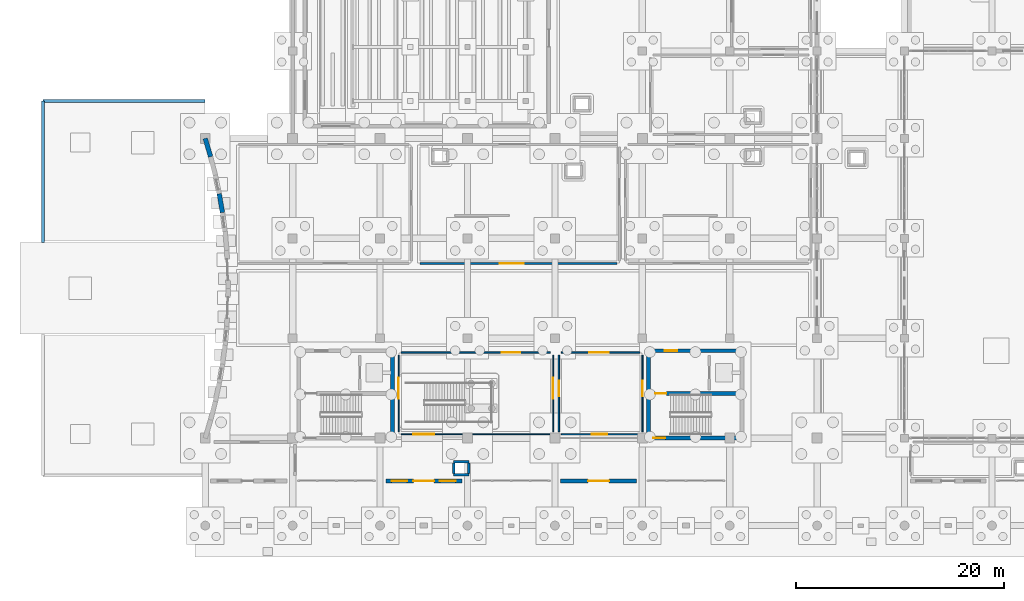
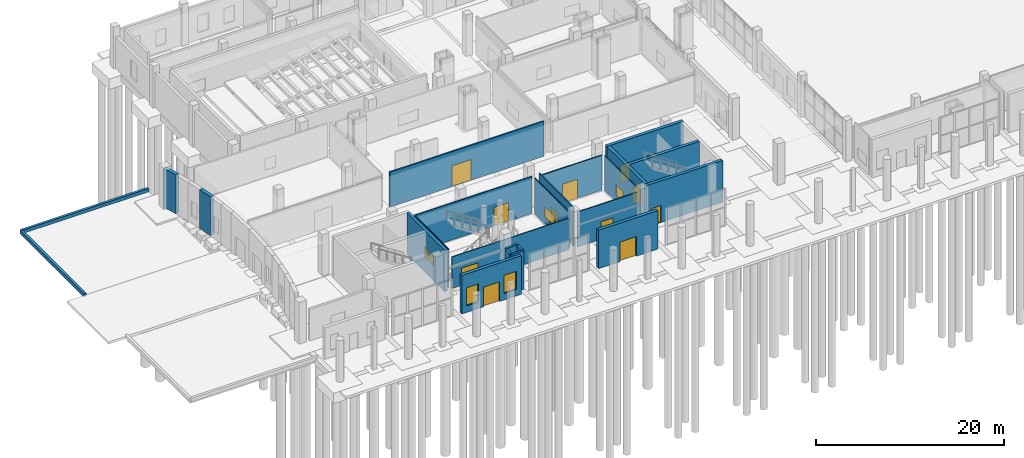
# One storey, part 39 of 65: 24 walls, 8 doors, 8 windows, 16 openings.
"""IFC4 building model written with IfcOpenShell, lengths in metres."""

from ifc_helpers import new_model, si_unit, direction, frame, frame_2d, origin, place, context, subcontext, project, spatial, rectangle, extrude, material, layer, layer_set, type_object, element, fill, save


model = new_model("IFC4")

# Units and contexts
model_context = context("Model", 3, precision=1e-05, world=origin(), true_north=direction((0.0, 1.0)))
body_context = subcontext(model_context, "Body", "Model", "MODEL_VIEW")
ifc_project = project(units=[si_unit("LENGTHUNIT", "METRE"), si_unit("AREAUNIT", "SQUARE_METRE"), si_unit("VOLUMEUNIT", "CUBIC_METRE"), si_unit("PLANEANGLEUNIT", "RADIAN"), si_unit("MASSUNIT", "GRAM", prefix="KILO")], contexts=[model_context])

# Site, building, storey
site_placement = place(None, origin())
site = spatial("IfcSite", under=ifc_project, at=site_placement, CompositionType="ELEMENT")
building_placement = place(site_placement, origin())
building = spatial("IfcBuilding", under=site, at=building_placement, Name="Zulmaris Art Gallery", CompositionType="ELEMENT")
storey_placement = place(building_placement, origin())
storey = spatial("IfcBuildingStorey", under=building, at=storey_placement, Name="L00", CompositionType="ELEMENT", Elevation=0.0)

# Walls
ifc_material_1 = material(Name="Omani Cream Limestone Ashlar Masonry", Category="masonry")
ifc_layer_1 = layer(ifc_material_1, 0.43994140625)
ifc_layer_set_1 = layer_set([ifc_layer_1], Name="Omani Cream Limestone Ashlar Masonry")
wall_type_1 = type_object("IfcWallType", Name="ENV-WALL-EW01", PredefinedType="SOLIDWALL", material=ifc_layer_set_1)
wall_1_placement = place(storey_placement, frame((25.655029296875, 43.284423828125, 0.0), z_axis=(0.0, 0.0, 1.0), x_axis=(-0.170546420939, 0.985349642667, 0.0)))
element("IfcWall", 1, at=wall_1_placement, inside=storey, type_object=wall_type_1, Name="L00 Concave Scooped Limestone Chord 13", PredefinedType="SOLIDWALL", context=body_context, shape_type="SweptSolid", body=[
    extrude(rectangle(XDim=1.828125, YDim=0.43994140625, at=frame_2d((0.9140625, 0.0))), origin(), (0.0, 0.0, 1.0), 5.0400390625),
])
wall_2_placement = place(storey_placement, frame((24.51513671875, 48.64599609375, 0.0), z_axis=(0.0, 0.0, 1.0), x_axis=(-0.281804764954, 0.959471768448, 0.0)))
element("IfcWall", 2, at=wall_2_placement, inside=storey, type_object=wall_type_1, Name="L00 Concave Scooped Limestone Chord 16", PredefinedType="SOLIDWALL", context=body_context, shape_type="SweptSolid", body=[
    extrude(rectangle(XDim=1.827880859375, YDim=0.43994140625, at=frame_2d((0.9140625, 0.0))), origin(), (0.0, 0.0, 1.0), 5.0400390625),
])

# Wall, openings, door, windows
ifc_material_2 = material(Name="Omani Desert Rose Limestone Cladding Wall", Category="masonry")
ifc_layer_2 = layer(ifc_material_2, 0.389892578125)
ifc_layer_set_2 = layer_set([ifc_layer_2], Name="Omani Desert Rose Limestone Cladding Wall")
wall_type_2 = type_object("IfcWallType", Name="ENV-WALL-EW02", PredefinedType="SOLIDWALL", material=ifc_layer_set_2)
wall_3_placement = place(storey_placement, frame((41.35009765625, 17.5, 0.0), z_axis=(0.0, 0.0, 1.0), x_axis=(1.0, 0.0, 0.0)))
wall_3 = element("IfcWall", 3, at=wall_3_placement, inside=storey, type_object=wall_type_2, Name="L00 Shop Colonnade Wall", PredefinedType="SOLIDWALL", context=body_context, shape_type="SweptSolid", body=[
    extrude(rectangle(XDim=7.2998046875, YDim=0.389892578125, at=frame_2d((3.64990234375, 0.0))), origin(), (0.0, 0.0, 1.0), 5.0),
])
opening_1_placement = place(wall_3_placement, frame((0.550048828125, 0.0, 0.85009765625)))
opening_1 = element("IfcOpeningElement", 4, at=opening_1_placement, cuts=wall_3, Name="Opening W07", PredefinedType="OPENING", context=body_context, shape_type="SweptSolid", body=[
    extrude(rectangle(XDim=1.5, YDim=2.35009765625, at=frame_2d((0.75, 1.175048828125))), frame((0.0, 0.204833984375, 0.0), z_axis=(0.0, -1.0, 0.0), x_axis=(1.0, 0.0, 0.0)), (0.0, 0.0, 1.0), 0.409912109375),
])
opening_2_placement = place(wall_3_placement, frame((5.199951171875, 0.0, 0.85009765625)))
opening_2 = element("IfcOpeningElement", 5, at=opening_2_placement, cuts=wall_3, Name="Opening W07", PredefinedType="OPENING", context=body_context, shape_type="SweptSolid", body=[
    extrude(rectangle(XDim=1.5, YDim=2.35009765625, at=frame_2d((0.75, 1.175048828125))), frame((0.0, 0.204833984375, 0.0), z_axis=(0.0, -1.0, 0.0), x_axis=(1.0, 0.0, 0.0)), (0.0, 0.0, 1.0), 0.409912109375),
])
opening_3_placement = place(wall_3_placement, frame((2.64990234375, 0.0, 0.0)))
opening_3 = element("IfcOpeningElement", 6, at=opening_3_placement, cuts=wall_3, Name="Opening ED01", PredefinedType="OPENING", context=body_context, shape_type="SweptSolid", body=[
    extrude(rectangle(XDim=2.0, YDim=2.550048828125, at=frame_2d((1.0, 1.27490234375))), frame((0.0, 0.204833984375, 0.0), z_axis=(0.0, -1.0, 0.0), x_axis=(1.0, 0.0, 0.0)), (0.0, 0.0, 1.0), 0.409912109375),
])
ifc_material_3 = material(Name="Bronze-Framed Glazed Main Entrance Door", Category="glass")
door_type_1 = type_object("IfcDoorType", Name="EDOOR-ED01", OperationType="DOUBLE_SWING_LEFT", PredefinedType="DOOR", material=ifc_material_3)
door_1_placement = place(opening_3_placement, origin())
door_1 = element("IfcDoor", 7, at=door_1_placement, inside=storey, type_object=door_type_1, Name="Museum Shop Colonnade Entrance", OperationType="DOUBLE_SWING_LEFT", OverallHeight=2.550048828125, OverallWidth=2.0, PredefinedType="DOOR", context=body_context, shape_type="SweptSolid", body=[
    extrude(rectangle(XDim=2.0, YDim=2.550048828125, at=frame_2d((1.0, 1.27490234375))), frame((0.0, 0.02490234375, 0.0), z_axis=(0.0, -1.0, 0.0), x_axis=(1.0, 0.0, 0.0)), (0.0, 0.0, 1.0), 0.050048828125),
])
fill(opening_3, door_1)
ifc_material_4 = material(Name="Gallery Cloister Bronze Window", Category="glass")
window_type_1 = type_object("IfcWindowType", Name="WIN-W07", PartitioningType="SINGLE_PANEL", PredefinedType="WINDOW", material=ifc_material_4)
window_1_placement = place(opening_1_placement, origin())
window_1 = element("IfcWindow", 8, at=window_1_placement, inside=storey, type_object=window_type_1, Name="L00 exterior window W07", OverallHeight=2.35009765625, OverallWidth=1.5, PartitioningType="SINGLE_PANEL", PredefinedType="WINDOW", context=body_context, shape_type="SweptSolid", body=[
    extrude(rectangle(XDim=1.5, YDim=2.35009765625, at=frame_2d((0.75, 1.175048828125))), frame((0.0, 0.030029296875, 0.0), z_axis=(0.0, -1.0, 0.0), x_axis=(1.0, 0.0, 0.0)), (0.0, 0.0, 1.0), 0.06005859375),
])
fill(opening_1, window_1)
window_2_placement = place(opening_2_placement, origin())
window_2 = element("IfcWindow", 9, at=window_2_placement, inside=storey, type_object=window_type_1, Name="L00 exterior window W07", OverallHeight=2.35009765625, OverallWidth=1.5, PartitioningType="SINGLE_PANEL", PredefinedType="WINDOW", context=body_context, shape_type="SweptSolid", body=[
    extrude(rectangle(XDim=1.5, YDim=2.35009765625, at=frame_2d((0.75, 1.175048828125))), frame((0.0, 0.030029296875, 0.0), z_axis=(0.0, -1.0, 0.0), x_axis=(1.0, 0.0, 0.0)), (0.0, 0.0, 1.0), 0.06005859375),
])
fill(opening_2, window_2)

# Wall, opening, door
wall_4_placement = place(storey_placement, frame((58.14990234375, 17.5, 0.0), z_axis=(0.0, 0.0, 1.0), x_axis=(1.0, 0.0, 0.0)))
wall_4 = element("IfcWall", 10, at=wall_4_placement, inside=storey, type_object=wall_type_2, Name="L00 Cafe West Exit Wall", PredefinedType="SOLIDWALL", context=body_context, shape_type="SweptSolid", body=[
    extrude(rectangle(XDim=7.300048828125, YDim=0.389892578125, at=frame_2d((3.64990234375, 0.0))), origin(), (0.0, 0.0, 1.0), 5.0),
])
opening_4_placement = place(wall_4_placement, frame((2.64990234375, 0.0, 0.0)))
opening_4 = element("IfcOpeningElement", 11, at=opening_4_placement, cuts=wall_4, Name="Opening ED01", PredefinedType="OPENING", context=body_context, shape_type="SweptSolid", body=[
    extrude(rectangle(XDim=2.0, YDim=2.550048828125, at=frame_2d((1.0, 1.27490234375))), frame((0.0, 0.204833984375, 0.0), z_axis=(0.0, -1.0, 0.0), x_axis=(1.0, 0.0, 0.0)), (0.0, 0.0, 1.0), 0.409912109375),
])
door_2_placement = place(opening_4_placement, origin())
door_2 = element("IfcDoor", 12, at=door_2_placement, inside=storey, type_object=door_type_1, Name="Gallery Cafe West Colonnade Exit Door", OperationType="DOUBLE_SWING_LEFT", OverallHeight=2.550048828125, OverallWidth=2.0, PredefinedType="DOOR", context=body_context, shape_type="SweptSolid", body=[
    extrude(rectangle(XDim=2.0, YDim=2.550048828125, at=frame_2d((1.0, 1.27490234375))), frame((0.0, 0.02490234375, 0.0), z_axis=(0.0, -1.0, 0.0), x_axis=(1.0, 0.0, 0.0)), (0.0, 0.0, 1.0), 0.050048828125),
])
fill(opening_4, door_2)

# Walls
ifc_material_5 = material(Name="Omani Limestone Pool Kerb", Category="masonry")
ifc_layer_3 = layer(ifc_material_5, 0.300048828125)
ifc_layer_set_3 = layer_set([ifc_layer_3], Name="Omani Limestone Pool Kerb")
wall_type_3 = type_object("IfcWallType", Name="ENV-WALL-PK01", PredefinedType="PARAPET", material=ifc_layer_set_3)
wall_5_placement = place(storey_placement, frame((8.39990234375, 54.0, -0.199951171875), z_axis=(0.0, 0.0, 1.0), x_axis=(1.0, 0.0, 0.0)))
element("IfcWall", 13, at=wall_5_placement, inside=storey, type_object=wall_type_3, Name="Reflecting pool limestone kerb 3", PredefinedType="PARAPET", context=body_context, shape_type="SweptSolid", body=[
    extrude(rectangle(XDim=15.60009765625, YDim=0.300048828125, at=frame_2d((7.800048828125, 0.0))), origin(), (0.0, 0.0, 1.0), 0.419921875),
])
wall_6_placement = place(storey_placement, frame((8.39990234375, 40.39990234375, -0.199951171875), z_axis=(0.0, 0.0, 1.0), x_axis=(0.0, 1.0, 0.0)))
element("IfcWall", 14, at=wall_6_placement, inside=storey, type_object=wall_type_3, Name="Reflecting pool limestone kerb 4", PredefinedType="PARAPET", context=body_context, shape_type="SweptSolid", body=[
    extrude(rectangle(XDim=13.60009765625, YDim=0.300048828125, at=frame_2d((6.800048828125, 0.0))), origin(), (0.0, 0.0, 1.0), 0.419921875),
])

# Wall, opening, window
ifc_material_6 = material(Name="Acoustic Office Gypsum Partition", Category="gypsum")
ifc_layer_4 = layer(ifc_material_6, 0.10009765625)
ifc_layer_set_4 = layer_set([ifc_layer_4], Name="Acoustic Office Gypsum Partition")
wall_type_4 = type_object("IfcWallType", Name="IWALL-PW01", PredefinedType="PARTITIONING", material=ifc_layer_set_4)
wall_7_placement = place(storey_placement, frame((42.830078125, 21.97998046875, 0.0), z_axis=(0.0, 0.0, 1.0), x_axis=(1.0, 0.0, 0.0)))
wall_7 = element("IfcWall", 15, at=wall_7_placement, inside=storey, type_object=wall_type_4, Name="Museum Book & Design Shop S partition", PredefinedType="PARTITIONING", context=body_context, shape_type="SweptSolid", body=[
    extrude(rectangle(XDim=14.33984375, YDim=0.10009765625, at=frame_2d((7.169921875, 0.0))), origin(), (0.0, 0.0, 1.0), 4.090087890625),
])
opening_5_placement = place(wall_7_placement, frame((1.14990234375, 0.0, 0.89990234375)))
opening_5 = element("IfcOpeningElement", 16, at=opening_5_placement, cuts=wall_7, Name="Opening IW10", PredefinedType="OPENING", context=body_context, shape_type="SweptSolid", body=[
    extrude(rectangle(XDim=2.02001953125, YDim=1.320068359375, at=frame_2d((1.010009765625, 0.66015625))), frame((0.0, 0.06005859375, 0.0), z_axis=(0.0, -1.0, 0.0), x_axis=(1.0, 0.0, 0.0)), (0.0, 0.0, 1.0), 0.1201171875),
])
ifc_material_7 = material(Name="Seminar Acoustic Viewing Window", Category="glass")
window_type_2 = type_object("IfcWindowType", Name="IWIN-IW10", PartitioningType="SINGLE_PANEL", PredefinedType="WINDOW", material=ifc_material_7)
window_3_placement = place(opening_5_placement, origin())
window_3 = element("IfcWindow", 17, at=window_3_placement, inside=storey, type_object=window_type_2, Name="L00 interior observation window IW10", OverallHeight=1.320068359375, OverallWidth=2.02001953125, PartitioningType="SINGLE_PANEL", PredefinedType="WINDOW", context=body_context, shape_type="SweptSolid", body=[
    extrude(rectangle(XDim=2.02001953125, YDim=1.320068359375, at=frame_2d((1.010009765625, 0.66015625))), frame((0.0, 0.030029296875, 0.0), z_axis=(0.0, -1.0, 0.0), x_axis=(1.0, 0.0, 0.0)), (0.0, 0.0, 1.0), 0.06005859375),
])
fill(opening_5, window_3)

wall_8_placement = place(storey_placement, frame((42.580078125, 22.22998046875, 0.0), z_axis=(0.0, 0.0, 1.0), x_axis=(0.0, 1.0, 0.0)))
wall_8 = element("IfcWall", 18, at=wall_8_placement, inside=storey, type_object=wall_type_4, Name="Museum Book & Design Shop W partition", PredefinedType="PARTITIONING", context=body_context, shape_type="SweptSolid", body=[
    extrude(rectangle(XDim=7.340087890625, YDim=0.10009765625, at=frame_2d((3.669921875, 0.0))), origin(), (0.0, 0.0, 1.0), 5.0400390625),
])
opening_6_placement = place(wall_8_placement, frame((3.14990234375, 0.0, 0.89990234375)))
opening_6 = element("IfcOpeningElement", 19, at=opening_6_placement, cuts=wall_8, Name="Opening IW10", PredefinedType="OPENING", context=body_context, shape_type="SweptSolid", body=[
    extrude(rectangle(XDim=2.02001953125, YDim=1.320068359375, at=frame_2d((1.010009765625, 0.66015625))), frame((0.0, 0.06005859375, 0.0), z_axis=(0.0, -1.0, 0.0), x_axis=(1.0, 0.0, 0.0)), (0.0, 0.0, 1.0), 0.1201171875),
])
window_4_placement = place(opening_6_placement, origin())
window_4 = element("IfcWindow", 20, at=window_4_placement, inside=storey, type_object=window_type_2, Name="L00 interior observation window IW10", OverallHeight=1.320068359375, OverallWidth=2.02001953125, PartitioningType="SINGLE_PANEL", PredefinedType="WINDOW", context=body_context, shape_type="SweptSolid", body=[
    extrude(rectangle(XDim=2.02001953125, YDim=1.320068359375, at=frame_2d((1.010009765625, 0.66015625))), frame((0.0, 0.030029296875, 0.0), z_axis=(0.0, -1.0, 0.0), x_axis=(1.0, 0.0, 0.0)), (0.0, 0.0, 1.0), 0.06005859375),
])
fill(opening_6, window_4)

wall_9_placement = place(storey_placement, frame((57.419921875, 22.22998046875, 0.0), z_axis=(0.0, 0.0, 1.0), x_axis=(0.0, 1.0, 0.0)))
wall_9 = element("IfcWall", 21, at=wall_9_placement, inside=storey, type_object=wall_type_4, Name="Museum Book & Design Shop E partition", PredefinedType="PARTITIONING", context=body_context, shape_type="SweptSolid", body=[
    extrude(rectangle(XDim=7.340087890625, YDim=0.10009765625, at=frame_2d((3.669921875, 0.0))), origin(), (0.0, 0.0, 1.0), 4.64990234375),
])
opening_7_placement = place(wall_9_placement, frame((3.14990234375, 0.0, 0.89990234375)))
opening_7 = element("IfcOpeningElement", 22, at=opening_7_placement, cuts=wall_9, Name="Opening IW10", PredefinedType="OPENING", context=body_context, shape_type="SweptSolid", body=[
    extrude(rectangle(XDim=2.02001953125, YDim=1.320068359375, at=frame_2d((1.010009765625, 0.66015625))), frame((0.0, 0.06005859375, 0.0), z_axis=(0.0, -1.0, 0.0), x_axis=(1.0, 0.0, 0.0)), (0.0, 0.0, 1.0), 0.1201171875),
])
window_5_placement = place(opening_7_placement, origin())
window_5 = element("IfcWindow", 23, at=window_5_placement, inside=storey, type_object=window_type_2, Name="L00 interior observation window IW10", OverallHeight=1.320068359375, OverallWidth=2.02001953125, PartitioningType="SINGLE_PANEL", PredefinedType="WINDOW", context=body_context, shape_type="SweptSolid", body=[
    extrude(rectangle(XDim=2.02001953125, YDim=1.320068359375, at=frame_2d((1.010009765625, 0.66015625))), frame((0.0, 0.030029296875, 0.0), z_axis=(0.0, -1.0, 0.0), x_axis=(1.0, 0.0, 0.0)), (0.0, 0.0, 1.0), 0.06005859375),
])
fill(opening_7, window_5)

# Wall, opening, door
ifc_material_8 = material(Name="Light Gallery Backing Partition", Category="gypsum")
ifc_layer_5 = layer(ifc_material_8, 0.1298828125)
ifc_layer_set_5 = layer_set([ifc_layer_5], Name="Light Gallery Backing Partition")
wall_type_5 = type_object("IfcWallType", Name="IWALL-PW03", PredefinedType="PARTITIONING", material=ifc_layer_set_5)
wall_10_placement = place(storey_placement, frame((58.22998046875, 29.820068359375, 0.0), z_axis=(0.0, 0.0, 1.0), x_axis=(1.0, 0.0, 0.0)))
wall_10 = element("IfcWall", 24, at=wall_10_placement, inside=storey, type_object=wall_type_5, Name="Shaded Colonnade Gallery Cafe N partition", PredefinedType="PARTITIONING", context=body_context, shape_type="SweptSolid", body=[
    extrude(rectangle(XDim=7.5400390625, YDim=0.1298828125, at=frame_2d((3.77001953125, 0.0))), origin(), (0.0, 0.0, 1.0), 4.5400390625),
])
opening_8_placement = place(wall_10_placement, frame((2.64990234375, 0.0, 0.0)))
opening_8 = element("IfcOpeningElement", 25, at=opening_8_placement, cuts=wall_10, Name="Opening D16", PredefinedType="OPENING", context=body_context, shape_type="SweptSolid", body=[
    extrude(rectangle(XDim=1.8798828125, YDim=2.4599609375, at=frame_2d((0.93994140625, 1.22998046875))), frame((0.0, 0.074951171875, 0.0), z_axis=(0.0, -1.0, 0.0), x_axis=(1.0, 0.0, 0.0)), (0.0, 0.0, 1.0), 0.14990234375),
])
ifc_material_9 = material(Name="Learning & Library Double Door", Category="timber")
door_type_2 = type_object("IfcDoorType", Name="IDOOR-D16", OperationType="DOUBLE_SWING_RIGHT", PredefinedType="DOOR", material=ifc_material_9)
door_3_placement = place(opening_8_placement, origin())
door_3 = element("IfcDoor", 26, at=door_3_placement, inside=storey, type_object=door_type_2, Name="Shaded Colonnade Gallery Cafe Door", OperationType="DOUBLE_SWING_RIGHT", OverallHeight=2.4599609375, OverallWidth=1.8798828125, PredefinedType="DOOR", context=body_context, shape_type="SweptSolid", body=[
    extrude(rectangle(XDim=1.8798828125, YDim=2.4599609375, at=frame_2d((0.93994140625, 1.22998046875))), frame((0.0, 0.02490234375, 0.0), z_axis=(0.0, -1.0, 0.0), x_axis=(1.0, 0.0, 0.0)), (0.0, 0.0, 1.0), 0.050048828125),
])
fill(opening_8, door_3)

# Wall, opening, window
wall_11_placement = place(storey_placement, frame((58.22998046875, 21.97998046875, 0.0), z_axis=(0.0, 0.0, 1.0), x_axis=(1.0, 0.0, 0.0)))
wall_11 = element("IfcWall", 27, at=wall_11_placement, inside=storey, type_object=wall_type_5, Name="Shaded Colonnade Gallery Cafe S partition", PredefinedType="PARTITIONING", context=body_context, shape_type="SweptSolid", body=[
    extrude(rectangle(XDim=7.5400390625, YDim=0.1298828125, at=frame_2d((3.77001953125, 0.0))), origin(), (0.0, 0.0, 1.0), 4.5400390625),
])
opening_9_placement = place(wall_11_placement, frame((2.89990234375, 0.0, 0.89990234375)))
opening_9 = element("IfcOpeningElement", 28, at=opening_9_placement, cuts=wall_11, Name="Opening IW01", PredefinedType="OPENING", context=body_context, shape_type="SweptSolid", body=[
    extrude(rectangle(XDim=1.47998046875, YDim=1.35009765625, at=frame_2d((0.739990234375, 0.675048828125))), frame((0.0, 0.074951171875, 0.0), z_axis=(0.0, -1.0, 0.0), x_axis=(1.0, 0.0, 0.0)), (0.0, 0.0, 1.0), 0.14990234375),
])
ifc_material_10 = material(Name="Conservation Studio Viewing Window", Category="glass")
window_type_3 = type_object("IfcWindowType", Name="IWIN-IW01", PartitioningType="SINGLE_PANEL", PredefinedType="WINDOW", material=ifc_material_10)
window_6_placement = place(opening_9_placement, origin())
window_6 = element("IfcWindow", 29, at=window_6_placement, inside=storey, type_object=window_type_3, Name="L00 interior observation window IW01", OverallHeight=1.35009765625, OverallWidth=1.47998046875, PartitioningType="SINGLE_PANEL", PredefinedType="WINDOW", context=body_context, shape_type="SweptSolid", body=[
    extrude(rectangle(XDim=1.47998046875, YDim=1.35009765625, at=frame_2d((0.739990234375, 0.675048828125))), frame((0.0, 0.030029296875, 0.0), z_axis=(0.0, -1.0, 0.0), x_axis=(1.0, 0.0, 0.0)), (0.0, 0.0, 1.0), 0.06005859375),
])
fill(opening_9, window_6)

wall_12_placement = place(storey_placement, frame((57.97998046875, 22.22998046875, 0.0), z_axis=(0.0, 0.0, 1.0), x_axis=(0.0, 1.0, 0.0)))
wall_12 = element("IfcWall", 30, at=wall_12_placement, inside=storey, type_object=wall_type_5, Name="Shaded Colonnade Gallery Cafe W partition", PredefinedType="PARTITIONING", context=body_context, shape_type="SweptSolid", body=[
    extrude(rectangle(XDim=7.340087890625, YDim=0.1298828125, at=frame_2d((3.669921875, 0.0))), origin(), (0.0, 0.0, 1.0), 5.0400390625),
])
opening_10_placement = place(wall_12_placement, frame((3.39990234375, 0.0, 0.89990234375)))
opening_10 = element("IfcOpeningElement", 31, at=opening_10_placement, cuts=wall_12, Name="Opening IW01", PredefinedType="OPENING", context=body_context, shape_type="SweptSolid", body=[
    extrude(rectangle(XDim=1.47998046875, YDim=1.35009765625, at=frame_2d((0.739990234375, 0.675048828125))), frame((0.0, 0.074951171875, 0.0), z_axis=(0.0, -1.0, 0.0), x_axis=(1.0, 0.0, 0.0)), (0.0, 0.0, 1.0), 0.14990234375),
])
window_7_placement = place(opening_10_placement, origin())
window_7 = element("IfcWindow", 32, at=window_7_placement, inside=storey, type_object=window_type_3, Name="L00 interior observation window IW01", OverallHeight=1.35009765625, OverallWidth=1.47998046875, PartitioningType="SINGLE_PANEL", PredefinedType="WINDOW", context=body_context, shape_type="SweptSolid", body=[
    extrude(rectangle(XDim=1.47998046875, YDim=1.35009765625, at=frame_2d((0.739990234375, 0.675048828125))), frame((0.0, 0.030029296875, 0.0), z_axis=(0.0, -1.0, 0.0), x_axis=(1.0, 0.0, 0.0)), (0.0, 0.0, 1.0), 0.06005859375),
])
fill(opening_10, window_7)

wall_13_placement = place(storey_placement, frame((66.02001953125, 22.22998046875, 0.0), z_axis=(0.0, 0.0, 1.0), x_axis=(0.0, 1.0, 0.0)))
wall_13 = element("IfcWall", 33, at=wall_13_placement, inside=storey, type_object=wall_type_5, Name="Shaded Colonnade Gallery Cafe E partition", PredefinedType="PARTITIONING", context=body_context, shape_type="SweptSolid", body=[
    extrude(rectangle(XDim=7.340087890625, YDim=0.1298828125, at=frame_2d((3.669921875, 0.0))), origin(), (0.0, 0.0, 1.0), 4.5400390625),
])
opening_11_placement = place(wall_13_placement, frame((3.39990234375, 0.0, 0.89990234375)))
opening_11 = element("IfcOpeningElement", 34, at=opening_11_placement, cuts=wall_13, Name="Opening IW01", PredefinedType="OPENING", context=body_context, shape_type="SweptSolid", body=[
    extrude(rectangle(XDim=1.47998046875, YDim=1.35009765625, at=frame_2d((0.739990234375, 0.675048828125))), frame((0.0, 0.074951171875, 0.0), z_axis=(0.0, -1.0, 0.0), x_axis=(1.0, 0.0, 0.0)), (0.0, 0.0, 1.0), 0.14990234375),
])
window_8_placement = place(opening_11_placement, origin())
window_8 = element("IfcWindow", 35, at=window_8_placement, inside=storey, type_object=window_type_3, Name="L00 interior observation window IW01", OverallHeight=1.35009765625, OverallWidth=1.47998046875, PartitioningType="SINGLE_PANEL", PredefinedType="WINDOW", context=body_context, shape_type="SweptSolid", body=[
    extrude(rectangle(XDim=1.47998046875, YDim=1.35009765625, at=frame_2d((0.739990234375, 0.675048828125))), frame((0.0, 0.030029296875, 0.0), z_axis=(0.0, -1.0, 0.0), x_axis=(1.0, 0.0, 0.0)), (0.0, 0.0, 1.0), 0.06005859375),
])
fill(opening_11, window_8)

# Wall, opening, door
ifc_material_11 = material(Name="Plywood-Backed Gallery Hanging Partition", Category="wood")
ifc_layer_6 = layer(ifc_material_11, 0.14501953125)
ifc_layer_set_6 = layer_set([ifc_layer_6], Name="Plywood-Backed Gallery Hanging Partition")
wall_type_6 = type_object("IfcWallType", Name="IWALL-PW04", PredefinedType="PARTITIONING", material=ifc_layer_set_6)
wall_14_placement = place(storey_placement, frame((42.830078125, 29.820068359375, 0.0), z_axis=(0.0, 0.0, 1.0), x_axis=(1.0, 0.0, 0.0)))
wall_14 = element("IfcWall", 36, at=wall_14_placement, inside=storey, type_object=wall_type_6, Name="Museum Book & Design Shop N partition", PredefinedType="PARTITIONING", context=body_context, shape_type="SweptSolid", body=[
    extrude(rectangle(XDim=14.33984375, YDim=0.14501953125, at=frame_2d((7.169921875, 0.0))), origin(), (0.0, 0.0, 1.0), 4.77001953125),
])
opening_12_placement = place(wall_14_placement, frame((9.64990234375, 0.0, 0.0)))
opening_12 = element("IfcOpeningElement", 37, at=opening_12_placement, cuts=wall_14, Name="Opening D15", PredefinedType="OPENING", context=body_context, shape_type="SweptSolid", body=[
    extrude(rectangle(XDim=1.800048828125, YDim=2.419921875, at=frame_2d((0.89990234375, 1.2099609375))), frame((0.0, 0.08251953125, 0.0), z_axis=(0.0, -1.0, 0.0), x_axis=(1.0, 0.0, 0.0)), (0.0, 0.0, 1.0), 0.1650390625),
])
ifc_material_12 = material(Name="Auditorium Sound-Lock Double Door", Category="timber")
door_type_3 = type_object("IfcDoorType", Name="IDOOR-D15", OperationType="DOUBLE_SWING_LEFT", PredefinedType="DOOR", material=ifc_material_12)
door_4_placement = place(opening_12_placement, origin())
door_4 = element("IfcDoor", 38, at=door_4_placement, inside=storey, type_object=door_type_3, Name="Museum Book & Design Shop Door", OperationType="DOUBLE_SWING_LEFT", OverallHeight=2.419921875, OverallWidth=1.800048828125, PredefinedType="DOOR", context=body_context, shape_type="SweptSolid", body=[
    extrude(rectangle(XDim=1.800048828125, YDim=2.419921875, at=frame_2d((0.89990234375, 1.2099609375))), frame((0.0, 0.02490234375, 0.0), z_axis=(0.0, -1.0, 0.0), x_axis=(1.0, 0.0, 0.0)), (0.0, 0.0, 1.0), 0.050048828125),
])
fill(opening_12, door_4)

ifc_material_13 = material(Name="Conservation Laboratory Partition", Category="masonry")
ifc_layer_7 = layer(ifc_material_13, 0.18994140625)
ifc_layer_set_7 = layer_set([ifc_layer_7], Name="Conservation Laboratory Partition")
wall_type_7 = type_object("IfcWallType", Name="IWALL-PW07", PredefinedType="PARTITIONING", material=ifc_layer_set_7)
wall_15_placement = place(storey_placement, frame((44.6298828125, 38.3798828125, 0.0), z_axis=(0.0, 0.0, 1.0), x_axis=(1.0, 0.0, 0.0)))
wall_15 = element("IfcWall", 39, at=wall_15_placement, inside=storey, type_object=wall_type_7, Name="Omani Maritime & Antiquities Gallery S partition", PredefinedType="PARTITIONING", context=body_context, shape_type="SweptSolid", body=[
    extrude(rectangle(XDim=18.940185546875, YDim=0.18994140625, at=frame_2d((9.47021484375, 0.0))), origin(), (0.0, 0.0, 1.0), 4.5400390625),
])
opening_13_placement = place(wall_15_placement, frame((7.64990234375, 0.0, 0.0)))
opening_13 = element("IfcOpeningElement", 40, at=opening_13_placement, cuts=wall_15, Name="Opening D20", PredefinedType="OPENING", context=body_context, shape_type="SweptSolid", body=[
    extrude(rectangle(XDim=2.320068359375, YDim=2.699951171875, at=frame_2d((1.16015625, 1.35009765625))), frame((0.0, 0.10498046875, 0.0), z_axis=(0.0, -1.0, 0.0), x_axis=(1.0, 0.0, 0.0)), (0.0, 0.0, 1.0), 0.2099609375),
])
ifc_material_14 = material(Name="Oversize Painting Transit Portal Door", Category="steel")
door_type_4 = type_object("IfcDoorType", Name="IDOOR-D20", OperationType="DOUBLE_SWING_RIGHT", PredefinedType="DOOR", material=ifc_material_14)
door_5_placement = place(opening_13_placement, origin())
door_5 = element("IfcDoor", 41, at=door_5_placement, inside=storey, type_object=door_type_4, Name="Omani Maritime & Antiquities Gallery Door", OperationType="DOUBLE_SWING_RIGHT", OverallHeight=2.699951171875, OverallWidth=2.320068359375, PredefinedType="DOOR", context=body_context, shape_type="SweptSolid", body=[
    extrude(rectangle(XDim=2.320068359375, YDim=2.699951171875, at=frame_2d((1.16015625, 1.35009765625))), frame((0.0, 0.02490234375, 0.0), z_axis=(0.0, -1.0, 0.0), x_axis=(1.0, 0.0, 0.0)), (0.0, 0.0, 1.0), 0.050048828125),
])
fill(opening_13, door_5)

# Walls
ifc_material_15 = material(Name="MEP Riser & Smoke Shaft Enclosure Wall", Category="masonry")
ifc_layer_8 = layer(ifc_material_15, 0.2548828125)
ifc_layer_set_8 = layer_set([ifc_layer_8], Name="MEP Riser & Smoke Shaft Enclosure Wall")
wall_type_8 = type_object("IfcWallType", Name="IWALL-PW11", PredefinedType="PARTITIONING", material=ifc_layer_set_8)
for number, where, z_axis, x_axis, name in (
    (42, (47.860107421875, 19.320068359375, 0.0), (0.0, 0.0, 1.0), (1.0, 0.0, 0.0), "L00 MEP Riser 4 N wall"),
    (43, (47.860107421875, 18.080078125, 0.0), (0.0, 0.0, 1.0), (1.0, 0.0, 0.0), "L00 MEP Riser 4 S wall"),
):
    element("IfcWall", number, at=place(storey_placement, frame(where, z_axis=z_axis, x_axis=x_axis)), inside=storey, type_object=wall_type_8, Name=name, PredefinedType="PARTITIONING", context=body_context, shape_type="SweptSolid", body=[
        extrude(rectangle(XDim=1.47998046875, YDim=0.2548828125, at=frame_2d((0.739990234375, 0.0))), origin(), (0.0, 0.0, 1.0), 5.0400390625),
    ])
for number, where, z_axis, x_axis, name in (
    (44, (47.8798828125, 18.199951171875, 0.0), (0.0, 0.0, 1.0), (0.0, 1.0, 0.0), "L00 MEP Riser 4 W wall"),
    (45, (49.320068359375, 18.199951171875, 0.0), (0.0, 0.0, 1.0), (0.0, 1.0, 0.0), "L00 MEP Riser 4 E wall"),
):
    element("IfcWall", number, at=place(storey_placement, frame(where, z_axis=z_axis, x_axis=x_axis)), inside=storey, type_object=wall_type_8, Name=name, PredefinedType="PARTITIONING", context=body_context, shape_type="SweptSolid", body=[
        extrude(rectangle(XDim=1.0, YDim=0.2548828125, at=frame_2d((0.5, 0.0))), origin(), (0.0, 0.0, 1.0), 5.0400390625),
    ])
ifc_material_16 = material(Name="Concrete C50/60", Category="concrete")
ifc_layer_9 = layer(ifc_material_16, 0.35009765625)
ifc_layer_set_9 = layer_set([ifc_layer_9], Name="Concrete C50/60")
wall_type_9 = type_object("IfcWallType", Name="STR-WALL-SW01", PredefinedType="SHEAR", material=ifc_layer_set_9)
wall_16_placement = place(storey_placement, frame((42.0, 21.77490234375, 0.0), z_axis=(0.0, 0.0, 1.0), x_axis=(0.0, 1.0, 0.0)))
element("IfcWall", 46, at=wall_16_placement, inside=storey, type_object=wall_type_9, Name="Core C1 L00 E shear wall", PredefinedType="SHEAR", context=body_context, shape_type="SweptSolid", body=[
    extrude(rectangle(XDim=8.050048828125, YDim=0.35009765625, at=frame_2d((4.02490234375, 0.0))), origin(), (0.0, 0.0, 1.0), 5.39990234375),
])

# Wall, opening, door
ifc_layer_10 = layer(ifc_material_16, 0.3798828125)
ifc_layer_set_10 = layer_set([ifc_layer_10], Name="Concrete C50/60")
wall_type_10 = type_object("IfcWallType", Name="STR-WALL-SW02", PredefinedType="SHEAR", material=ifc_layer_set_10)
wall_17_placement = place(storey_placement, frame((66.409912109375, 21.60009765625, 0.0), z_axis=(0.0, 0.0, 1.0), x_axis=(1.0, 0.0, 0.0)))
wall_17 = element("IfcWall", 47, at=wall_17_placement, inside=storey, type_object=wall_type_10, Name="Core C2 L00 S shear wall", PredefinedType="SHEAR", context=body_context, shape_type="SweptSolid", body=[
    extrude(rectangle(XDim=9.380126953125, YDim=0.3798828125, at=frame_2d((4.68994140625, 0.0))), origin(), (0.0, 0.0, 1.0), 5.39990234375),
])
opening_14_placement = place(wall_17_placement, frame((0.64990234375, 0.0, 0.0)))
opening_14 = element("IfcOpeningElement", 48, at=opening_14_placement, cuts=wall_17, Name="Opening ED02", PredefinedType="OPENING", context=body_context, shape_type="SweptSolid", body=[
    extrude(rectangle(XDim=1.14990234375, YDim=2.199951171875, at=frame_2d((0.574951171875, 1.10009765625))), frame((0.0, 0.199951171875, 0.0), z_axis=(0.0, -1.0, 0.0), x_axis=(1.0, 0.0, 0.0)), (0.0, 0.0, 1.0), 0.39990234375),
])
ifc_material_17 = material(Name="Fire Exit Discharge Door", Category="steel")
door_type_5 = type_object("IfcDoorType", Name="EDOOR-ED02", OperationType="SINGLE_SWING_LEFT", PredefinedType="DOOR", material=ifc_material_17)
door_6_placement = place(opening_14_placement, origin())
door_6 = element("IfcDoor", 49, at=door_6_placement, inside=storey, type_object=door_type_5, Name="Core C2 ST2 Ground Exit Discharge Door", OperationType="SINGLE_SWING_LEFT", OverallHeight=2.199951171875, OverallWidth=1.14990234375, PredefinedType="DOOR", context=body_context, shape_type="SweptSolid", body=[
    extrude(rectangle(XDim=1.14990234375, YDim=2.199951171875, at=frame_2d((0.574951171875, 1.10009765625))), frame((0.0, 0.02490234375, 0.0), z_axis=(0.0, -1.0, 0.0), x_axis=(1.0, 0.0, 0.0)), (0.0, 0.0, 1.0), 0.050048828125),
])
fill(opening_14, door_6)

wall_18_placement = place(storey_placement, frame((66.409912109375, 30.0, 0.0), z_axis=(0.0, 0.0, 1.0), x_axis=(1.0, 0.0, 0.0)))
wall_18 = element("IfcWall", 50, at=wall_18_placement, inside=storey, type_object=wall_type_10, Name="Core C2 L00 N shear wall", PredefinedType="SHEAR", context=body_context, shape_type="SweptSolid", body=[
    extrude(rectangle(XDim=9.380126953125, YDim=0.3798828125, at=frame_2d((4.68994140625, 0.0))), origin(), (0.0, 0.0, 1.0), 5.39990234375),
])
opening_15_placement = place(wall_18_placement, frame((1.75, 0.0, 0.0)))
opening_15 = element("IfcOpeningElement", 51, at=opening_15_placement, cuts=wall_18, Name="Opening D08", PredefinedType="OPENING", context=body_context, shape_type="SweptSolid", body=[
    extrude(rectangle(XDim=1.179931640625, YDim=2.239990234375, at=frame_2d((0.58984375, 1.1201171875))), frame((0.0, 0.199951171875, 0.0), z_axis=(0.0, -1.0, 0.0), x_axis=(1.0, 0.0, 0.0)), (0.0, 0.0, 1.0), 0.39990234375),
])
ifc_material_18 = material(Name="Firefighting Lobby Compartment Door", Category="steel")
door_type_6 = type_object("IfcDoorType", Name="IDOOR-D08", OperationType="NOTDEFINED", PredefinedType="DOOR", material=ifc_material_18)
door_7_placement = place(opening_15_placement, origin())
door_7 = element("IfcDoor", 52, at=door_7_placement, inside=storey, type_object=door_type_6, Name="Core C2 L00 Lobby Compartment Door", OperationType="SINGLE_SWING_RIGHT", OverallHeight=2.239990234375, OverallWidth=1.179931640625, PredefinedType="DOOR", context=body_context, shape_type="SweptSolid", body=[
    extrude(rectangle(XDim=1.179931640625, YDim=2.239990234375, at=frame_2d((0.58984375, 1.1201171875))), frame((0.0, 0.02490234375, 0.0), z_axis=(0.0, -1.0, 0.0), x_axis=(1.0, 0.0, 0.0)), (0.0, 0.0, 1.0), 0.050048828125),
])
fill(opening_15, door_7)

# Wall
wall_19_placement = place(storey_placement, frame((66.60009765625, 21.7900390625, 0.0), z_axis=(0.0, 0.0, 1.0), x_axis=(0.0, 1.0, 0.0)))
element("IfcWall", 53, at=wall_19_placement, inside=storey, type_object=wall_type_10, Name="Core C2 L00 W shear wall", PredefinedType="SHEAR", context=body_context, shape_type="SweptSolid", body=[
    extrude(rectangle(XDim=8.02001953125, YDim=0.3798828125, at=frame_2d((4.010009765625, 0.0))), origin(), (0.0, 0.0, 1.0), 5.39990234375),
])

# Wall, opening, door
wall_20_placement = place(storey_placement, frame((66.7900390625, 25.909912109375, 0.0), z_axis=(0.0, 0.0, 1.0), x_axis=(1.0, 0.0, 0.0)))
wall_20 = element("IfcWall", 54, at=wall_20_placement, inside=storey, type_object=wall_type_10, Name="Core C2 L00 DIV shear wall", PredefinedType="SHEAR", context=body_context, shape_type="SweptSolid", body=[
    extrude(rectangle(XDim=8.619873046875, YDim=0.3798828125, at=frame_2d((4.31005859375, 0.0))), origin(), (0.0, 0.0, 1.0), 5.39990234375),
])
opening_16_placement = place(wall_20_placement, frame((0.449951171875, 0.0, 0.0)))
opening_16 = element("IfcOpeningElement", 55, at=opening_16_placement, cuts=wall_20, Name="Opening D07", PredefinedType="OPENING", context=body_context, shape_type="SweptSolid", body=[
    extrude(rectangle(XDim=1.080078125, YDim=2.179931640625, at=frame_2d((0.5400390625, 1.08984375))), frame((0.0, 0.199951171875, 0.0), z_axis=(0.0, -1.0, 0.0), x_axis=(1.0, 0.0, 0.0)), (0.0, 0.0, 1.0), 0.39990234375),
])
ifc_material_19 = material(Name="Stairwell Fire Escape Door", Category="steel")
door_type_7 = type_object("IfcDoorType", Name="IDOOR-D07", OperationType="NOTDEFINED", PredefinedType="DOOR", material=ifc_material_19)
door_8_placement = place(opening_16_placement, origin())
door_8 = element("IfcDoor", 56, at=door_8_placement, inside=storey, type_object=door_type_7, Name="Core C2 L00 Stair ST2 Fire Door", OperationType="SINGLE_SWING_LEFT", OverallHeight=2.179931640625, OverallWidth=1.080078125, PredefinedType="DOOR", context=body_context, shape_type="SweptSolid", body=[
    extrude(rectangle(XDim=1.080078125, YDim=2.179931640625, at=frame_2d((0.5400390625, 1.08984375))), frame((0.0, 0.02490234375, 0.0), z_axis=(0.0, -1.0, 0.0), x_axis=(1.0, 0.0, 0.0)), (0.0, 0.0, 1.0), 0.050048828125),
])
fill(opening_16, door_8)

save(model, "model.ifc")
